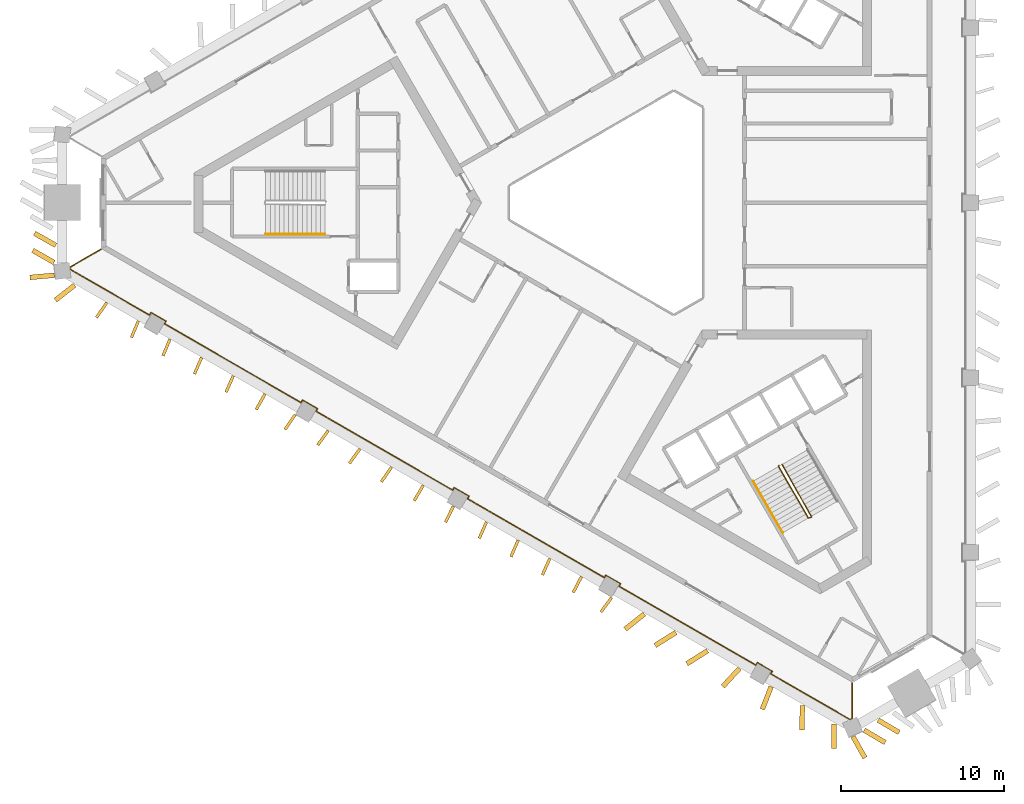
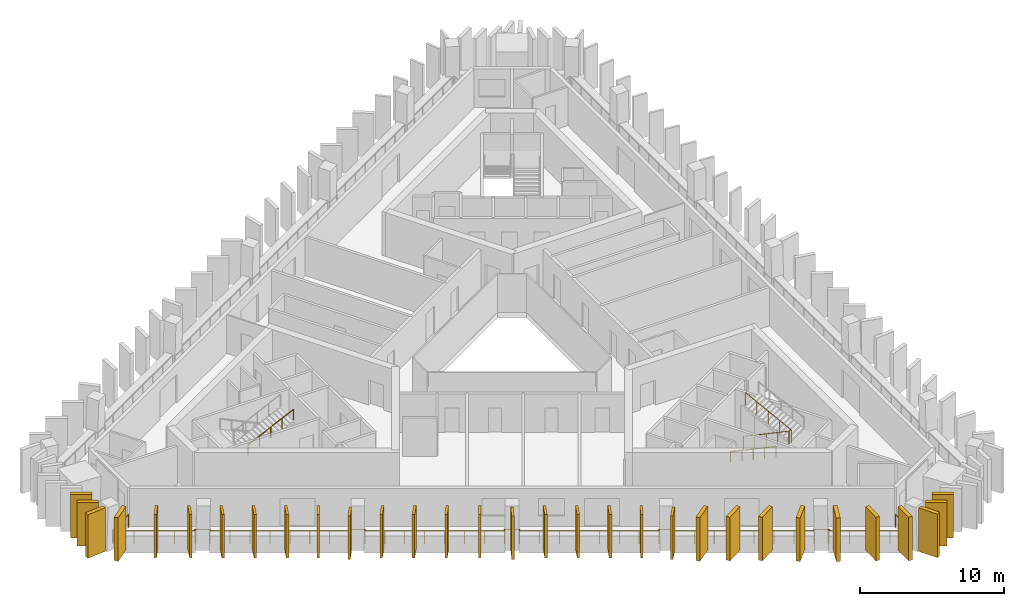
# One storey, part 7 of 9: 31 shading devices, 4 railings.
"""IFC4 building model written with IfcOpenShell, lengths in metres."""

from ifc_helpers import new_model, si_unit, direction, frame, frame_2d, origin, origin_2d, place, context, subcontext, project, spatial, rectangle, circle, extrude, material, layer, layer_set, type_object, element, save


model = new_model("IFC4")

# Units and contexts
model_context = context("Model", 3, precision=1e-05, world=origin(), true_north=direction((0.0, 1.0)))
body_context = subcontext(model_context, "Body", "Model", "MODEL_VIEW")
ifc_project = project(units=[si_unit("LENGTHUNIT", "METRE"), si_unit("AREAUNIT", "SQUARE_METRE"), si_unit("VOLUMEUNIT", "CUBIC_METRE"), si_unit("PLANEANGLEUNIT", "RADIAN"), si_unit("MASSUNIT", "GRAM", prefix="KILO")], contexts=[model_context])

# Site, building, storey
site_placement = place(None, origin())
site = spatial("IfcSite", under=ifc_project, at=site_placement, CompositionType="ELEMENT")
building_placement = place(site_placement, origin())
building = spatial("IfcBuilding", under=site, at=building_placement, Name="Jabali Bay Hotel Tower and Convention Centre", CompositionType="ELEMENT")
storey_placement = place(building_placement, frame((0.0, 0.0, 182.199951171875)))
storey = spatial("IfcBuildingStorey", under=building, at=storey_placement, Name="L44", CompositionType="ELEMENT", Elevation=182.199951171875)

# Railing
ifc_material_1 = material(Name="Glass", Category="glass")
railing_type_1 = type_object("IfcRailingType", Name="Loggia glass guard 1100", PredefinedType="BALUSTRADE", material=ifc_material_1)
railing_1_placement = place(storey_placement, frame((88.68212890625, 50.591796875, 0.0)))
element("IfcRailing", 1, at=railing_1_placement, inside=storey, type_object=railing_type_1, Name="Loggia glass guard L44", PredefinedType="BALUSTRADE", context=body_context, shape_type="SweptSolid", body=[
    extrude(circle(Radius=0.02490234375, at=origin_2d()), frame((0.0, 0.0, 1.0751953125), z_axis=(0.0, -1.0, 0.0), x_axis=(0.991444861374, 0.0, 0.13052619222)), (0.0, 0.0, 1.0), 2.19287109375),
    extrude(circle(Radius=0.02490234375, at=origin_2d()), frame((0.0, -2.19287109375, 1.0751953125), z_axis=(-0.9195450827, -0.39298453008, 0.0), x_axis=(0.389622492947, -0.911678247044, 0.13052619222)), (0.0, 0.0, 1.0), 0.126220703125),
    extrude(circle(Radius=0.02490234375, at=origin_2d()), frame((-0.115966796875, -2.242431640625, 1.0751953125), z_axis=(-0.866029922297, 0.499992173624, 0.0), x_axis=(-0.495714671267, -0.858620916258, 0.13052619222)), (0.0, 0.0, 1.0), 5.615234375),
    extrude(circle(Radius=0.02490234375, at=origin_2d()), frame((-4.97900390625, 0.565185546875, 1.0751953125), z_axis=(0.501091290591, 0.865394429433, 0.0), x_axis=(-0.857990860123, 0.496804385136, 0.13052619222)), (0.0, 0.0, 1.0), 0.1748046875),
    extrude(circle(Radius=0.02490234375, at=origin_2d()), frame((-4.891357421875, 0.716552734375, 1.0751953125), z_axis=(-0.865988129768, 0.500064554934, 0.0), x_axis=(-0.495786433345, -0.858579481269, 0.13052619222)), (0.0, 0.0, 1.0), 1.050048828125),
    extrude(circle(Radius=0.02490234375, at=origin_2d()), frame((-5.80078125, 1.24169921875, 1.0751953125), z_axis=(-0.499440622861, -0.866348119543, 0.0), x_axis=(0.858936391282, -0.495167839097, 0.13052619222)), (0.0, 0.0, 1.0), 0.175048828125),
    extrude(circle(Radius=0.02490234375, at=origin_2d()), frame((-5.88818359375, 1.090087890625, 1.0751953125), z_axis=(-0.866024507931, 0.500001551661, 0.0), x_axis=(-0.495723969073, -0.858615548212, 0.13052619222)), (0.0, 0.0, 1.0), 9.6669921875),
    extrude(circle(Radius=0.02490234375, at=origin_2d()), frame((-14.260009765625, 5.923583984375, 1.0751953125), z_axis=(0.499440622861, 0.866348119543, 0.0), x_axis=(-0.858936391282, 0.495167839097, 0.13052619222)), (0.0, 0.0, 1.0), 0.175048828125),
    extrude(circle(Radius=0.02490234375, at=origin_2d()), frame((-14.172607421875, 6.0751953125, 1.0751953125), z_axis=(-0.866030680601, 0.499990860175, 0.0), x_axis=(-0.495713369054, -0.858621668074, 0.13052619222)), (0.0, 0.0, 1.0), 1.0498046875),
    extrude(circle(Radius=0.02490234375, at=origin_2d()), frame((-15.081787109375, 6.60009765625, 1.0751953125), z_axis=(-0.500486622847, -0.865744269604, 0.0), x_axis=(0.858337707362, -0.496204890408, 0.13052619222)), (0.0, 0.0, 1.0), 0.175048828125),
    extrude(circle(Radius=0.02490234375, at=origin_2d()), frame((-15.16943359375, 6.448486328125, 1.0751953125), z_axis=(-0.866018193896, 0.500012487686, 0.0), x_axis=(-0.495734811539, -0.858609288194, 0.13052619222)), (0.0, 0.0, 1.0), 9.666748046875),
    extrude(circle(Radius=0.02490234375, at=origin_2d()), frame((-23.541015625, 11.281982421875, 1.0751953125), z_axis=(0.499440622861, 0.866348119543, 0.0), x_axis=(-0.858936391282, 0.495167839097, 0.13052619222)), (0.0, 0.0, 1.0), 0.175048828125),
    extrude(circle(Radius=0.02490234375, at=origin_2d()), frame((-23.45361328125, 11.43359375, 1.0751953125), z_axis=(-0.866030680601, 0.499990860175, 0.0), x_axis=(-0.495713369054, -0.858621668074, 0.13052619222)), (0.0, 0.0, 1.0), 1.0498046875),
    extrude(circle(Radius=0.02490234375, at=origin_2d()), frame((-24.36279296875, 11.95849609375, 1.0751953125), z_axis=(-0.500486622847, -0.865744269604, 0.0), x_axis=(0.858337707362, -0.496204890408, 0.13052619222)), (0.0, 0.0, 1.0), 0.175048828125),
    extrude(circle(Radius=0.02490234375, at=origin_2d()), frame((-24.450439453125, 11.806884765625, 1.0751953125), z_axis=(-0.866024507931, 0.500001551661, 0.0), x_axis=(-0.495723969073, -0.858615548212, 0.13052619222)), (0.0, 0.0, 1.0), 9.6669921875),
    extrude(circle(Radius=0.02490234375, at=origin_2d()), frame((-32.822265625, 16.640380859375, 1.0751953125), z_axis=(0.500486622847, 0.865744269604, 0.0), x_axis=(-0.858337707362, 0.496204890408, 0.13052619222)), (0.0, 0.0, 1.0), 0.175048828125),
    extrude(circle(Radius=0.02490234375, at=origin_2d()), frame((-32.734619140625, 16.7919921875, 1.0751953125), z_axis=(-0.866088799389, 0.499890179513, 0.0), x_axis=(-0.495613549729, -0.858679289647, 0.13052619222)), (0.0, 0.0, 1.0), 1.050048828125),
    extrude(circle(Radius=0.02490234375, at=origin_2d()), frame((-33.64404296875, 17.31689453125, 1.0751953125), z_axis=(-0.500044870432, -0.865999496279, 0.0), x_axis=(0.858590750538, -0.495766917246, 0.13052619222)), (0.0, 0.0, 1.0), 0.1748046875),
    extrude(circle(Radius=0.02490234375, at=origin_2d()), frame((-33.7314453125, 17.16552734375, 1.0751953125), z_axis=(-0.866035443687, 0.499982609976, 0.0), x_axis=(-0.495705189436, -0.858626390411, 0.13052619222)), (0.0, 0.0, 1.0), 9.666748046875),
    extrude(circle(Radius=0.02490234375, at=origin_2d()), frame((-42.103271484375, 21.998779296875, 1.0751953125), z_axis=(0.499440622861, 0.866348119543, 0.0), x_axis=(-0.858936391282, 0.495167839097, 0.13052619222)), (0.0, 0.0, 1.0), 0.175048828125),
    extrude(circle(Radius=0.02490234375, at=origin_2d()), frame((-42.015869140625, 22.150390625, 1.0751953125), z_axis=(-0.86592997719, 0.500165247297, 0.0), x_axis=(-0.495886264271, -0.858521826194, 0.13052619222)), (0.0, 0.0, 1.0), 1.050048828125),
    extrude(circle(Radius=0.02490234375, at=origin_2d()), frame((-42.925048828125, 22.675537109375, 1.0751953125), z_axis=(-0.500486622847, -0.865744269604, 0.0), x_axis=(0.858337707362, -0.496204890408, 0.13052619222)), (0.0, 0.0, 1.0), 0.175048828125),
    extrude(circle(Radius=0.02490234375, at=origin_2d()), frame((-43.0126953125, 22.52392578125, 1.0751953125), z_axis=(-0.866019052629, 0.500011000363, 0.0), x_axis=(-0.49573333694, -0.858610139581, 0.13052619222)), (0.0, 0.0, 1.0), 5.614990234375),
    extrude(circle(Radius=0.02490234375, at=origin_2d()), frame((-47.87548828125, 25.33154296875, 1.0751953125), z_axis=(-0.119984594018, 0.992775753732, 0.0), x_axis=(-0.984282419534, -0.118958109183, 0.13052619222)), (0.0, 0.0, 1.0), 0.126220703125),
    extrude(circle(Radius=0.02490234375, at=origin_2d()), frame((-47.890625, 25.456787109375, 1.0751953125), z_axis=(0.866035418383, 0.499982653806, 0.0), x_axis=(-0.495705232892, 0.858626365323, 0.13052619222)), (0.0, 0.0, 1.0), 2.19287109375),
    extrude(circle(Radius=0.02001953125, at=origin_2d()), origin(), (0.0, 0.0, 1.0), 1.050048828125),
    extrude(circle(Radius=0.02001953125, at=origin_2d()), frame((0.0, -1.096435546875, 0.0)), (0.0, 0.0, 1.0), 1.050048828125),
    extrude(circle(Radius=0.02001953125, at=origin_2d()), frame((0.0, -2.19287109375, 0.0)), (0.0, 0.0, 1.0), 1.050048828125),
    extrude(circle(Radius=0.02001953125, at=origin_2d()), frame((-0.115966796875, -2.242431640625, 0.0)), (0.0, 0.0, 1.0), 1.050048828125),
    extrude(circle(Radius=0.02001953125, at=origin_2d()), frame((-1.331787109375, -1.54052734375, 0.0)), (0.0, 0.0, 1.0), 1.050048828125),
    extrude(circle(Radius=0.02001953125, at=origin_2d()), frame((-2.54736328125, -0.838623046875, 0.0)), (0.0, 0.0, 1.0), 1.050048828125),
    extrude(circle(Radius=0.02001953125, at=origin_2d()), frame((-3.76318359375, -0.13671875, 0.0)), (0.0, 0.0, 1.0), 1.050048828125),
    extrude(circle(Radius=0.02001953125, at=origin_2d()), frame((-4.97900390625, 0.565185546875, 0.0)), (0.0, 0.0, 1.0), 1.050048828125),
    extrude(circle(Radius=0.02001953125, at=origin_2d()), frame((-4.891357421875, 0.716552734375, 0.0)), (0.0, 0.0, 1.0), 1.050048828125),
    extrude(circle(Radius=0.02001953125, at=origin_2d()), frame((-5.80078125, 1.24169921875, 0.0)), (0.0, 0.0, 1.0), 1.050048828125),
    extrude(circle(Radius=0.02001953125, at=origin_2d()), frame((-5.88818359375, 1.090087890625, 0.0)), (0.0, 0.0, 1.0), 1.050048828125),
    extrude(circle(Radius=0.02001953125, at=origin_2d()), frame((-7.084228515625, 1.780517578125, 0.0)), (0.0, 0.0, 1.0), 1.050048828125),
    extrude(circle(Radius=0.02001953125, at=origin_2d()), frame((-8.280029296875, 2.47119140625, 0.0)), (0.0, 0.0, 1.0), 1.050048828125),
    extrude(circle(Radius=0.02001953125, at=origin_2d()), frame((-9.47607421875, 3.16162109375, 0.0)), (0.0, 0.0, 1.0), 1.050048828125),
    extrude(circle(Radius=0.02001953125, at=origin_2d()), frame((-10.672119140625, 3.85205078125, 0.0)), (0.0, 0.0, 1.0), 1.050048828125),
    extrude(circle(Radius=0.02001953125, at=origin_2d()), frame((-11.8681640625, 4.54248046875, 0.0)), (0.0, 0.0, 1.0), 1.050048828125),
    extrude(circle(Radius=0.02001953125, at=origin_2d()), frame((-13.06396484375, 5.233154296875, 0.0)), (0.0, 0.0, 1.0), 1.050048828125),
    extrude(circle(Radius=0.02001953125, at=origin_2d()), frame((-14.260009765625, 5.923583984375, 0.0)), (0.0, 0.0, 1.0), 1.050048828125),
    extrude(circle(Radius=0.02001953125, at=origin_2d()), frame((-14.172607421875, 6.0751953125, 0.0)), (0.0, 0.0, 1.0), 1.050048828125),
    extrude(circle(Radius=0.02001953125, at=origin_2d()), frame((-15.081787109375, 6.60009765625, 0.0)), (0.0, 0.0, 1.0), 1.050048828125),
    extrude(circle(Radius=0.02001953125, at=origin_2d()), frame((-15.16943359375, 6.448486328125, 0.0)), (0.0, 0.0, 1.0), 1.050048828125),
    extrude(circle(Radius=0.02001953125, at=origin_2d()), frame((-16.365478515625, 7.138916015625, 0.0)), (0.0, 0.0, 1.0), 1.050048828125),
    extrude(circle(Radius=0.02001953125, at=origin_2d()), frame((-17.561279296875, 7.82958984375, 0.0)), (0.0, 0.0, 1.0), 1.050048828125),
    extrude(circle(Radius=0.02001953125, at=origin_2d()), frame((-18.75732421875, 8.52001953125, 0.0)), (0.0, 0.0, 1.0), 1.050048828125),
    extrude(circle(Radius=0.02001953125, at=origin_2d()), frame((-19.953125, 9.21044921875, 0.0)), (0.0, 0.0, 1.0), 1.050048828125),
    extrude(circle(Radius=0.02001953125, at=origin_2d()), frame((-21.149169921875, 9.90087890625, 0.0)), (0.0, 0.0, 1.0), 1.050048828125),
    extrude(circle(Radius=0.02001953125, at=origin_2d()), frame((-22.344970703125, 10.591552734375, 0.0)), (0.0, 0.0, 1.0), 1.050048828125),
    extrude(circle(Radius=0.02001953125, at=origin_2d()), frame((-23.541015625, 11.281982421875, 0.0)), (0.0, 0.0, 1.0), 1.050048828125),
    extrude(circle(Radius=0.02001953125, at=origin_2d()), frame((-23.45361328125, 11.43359375, 0.0)), (0.0, 0.0, 1.0), 1.050048828125),
    extrude(circle(Radius=0.02001953125, at=origin_2d()), frame((-24.36279296875, 11.95849609375, 0.0)), (0.0, 0.0, 1.0), 1.050048828125),
    extrude(circle(Radius=0.02001953125, at=origin_2d()), frame((-24.450439453125, 11.806884765625, 0.0)), (0.0, 0.0, 1.0), 1.050048828125),
    extrude(circle(Radius=0.02001953125, at=origin_2d()), frame((-25.646484375, 12.497314453125, 0.0)), (0.0, 0.0, 1.0), 1.050048828125),
    extrude(circle(Radius=0.02001953125, at=origin_2d()), frame((-26.84228515625, 13.18798828125, 0.0)), (0.0, 0.0, 1.0), 1.050048828125),
    extrude(circle(Radius=0.02001953125, at=origin_2d()), frame((-28.038330078125, 13.87841796875, 0.0)), (0.0, 0.0, 1.0), 1.050048828125),
    extrude(circle(Radius=0.02001953125, at=origin_2d()), frame((-29.234375, 14.56884765625, 0.0)), (0.0, 0.0, 1.0), 1.050048828125),
    extrude(circle(Radius=0.02001953125, at=origin_2d()), frame((-30.430419921875, 15.25927734375, 0.0)), (0.0, 0.0, 1.0), 1.050048828125),
    extrude(circle(Radius=0.02001953125, at=origin_2d()), frame((-31.626220703125, 15.949951171875, 0.0)), (0.0, 0.0, 1.0), 1.050048828125),
    extrude(circle(Radius=0.02001953125, at=origin_2d()), frame((-32.822265625, 16.640380859375, 0.0)), (0.0, 0.0, 1.0), 1.050048828125),
    extrude(circle(Radius=0.02001953125, at=origin_2d()), frame((-32.734619140625, 16.7919921875, 0.0)), (0.0, 0.0, 1.0), 1.050048828125),
    extrude(circle(Radius=0.02001953125, at=origin_2d()), frame((-33.64404296875, 17.31689453125, 0.0)), (0.0, 0.0, 1.0), 1.050048828125),
    extrude(circle(Radius=0.02001953125, at=origin_2d()), frame((-33.7314453125, 17.16552734375, 0.0)), (0.0, 0.0, 1.0), 1.050048828125),
    extrude(circle(Radius=0.02001953125, at=origin_2d()), frame((-34.927490234375, 17.85595703125, 0.0)), (0.0, 0.0, 1.0), 1.050048828125),
    extrude(circle(Radius=0.02001953125, at=origin_2d()), frame((-36.123291015625, 18.54638671875, 0.0)), (0.0, 0.0, 1.0), 1.050048828125),
    extrude(circle(Radius=0.02001953125, at=origin_2d()), frame((-37.3193359375, 19.23681640625, 0.0)), (0.0, 0.0, 1.0), 1.050048828125),
    extrude(circle(Radius=0.02001953125, at=origin_2d()), frame((-38.515380859375, 19.927490234375, 0.0)), (0.0, 0.0, 1.0), 1.050048828125),
    extrude(circle(Radius=0.02001953125, at=origin_2d()), frame((-39.71142578125, 20.617919921875, 0.0)), (0.0, 0.0, 1.0), 1.050048828125),
    extrude(circle(Radius=0.02001953125, at=origin_2d()), frame((-40.9072265625, 21.308349609375, 0.0)), (0.0, 0.0, 1.0), 1.050048828125),
    extrude(circle(Radius=0.02001953125, at=origin_2d()), frame((-42.103271484375, 21.998779296875, 0.0)), (0.0, 0.0, 1.0), 1.050048828125),
    extrude(circle(Radius=0.02001953125, at=origin_2d()), frame((-42.015869140625, 22.150390625, 0.0)), (0.0, 0.0, 1.0), 1.050048828125),
    extrude(circle(Radius=0.02001953125, at=origin_2d()), frame((-42.925048828125, 22.675537109375, 0.0)), (0.0, 0.0, 1.0), 1.050048828125),
    extrude(circle(Radius=0.02001953125, at=origin_2d()), frame((-43.0126953125, 22.52392578125, 0.0)), (0.0, 0.0, 1.0), 1.050048828125),
    extrude(circle(Radius=0.02001953125, at=origin_2d()), frame((-44.228515625, 23.225830078125, 0.0)), (0.0, 0.0, 1.0), 1.050048828125),
    extrude(circle(Radius=0.02001953125, at=origin_2d()), frame((-45.444091796875, 23.927734375, 0.0)), (0.0, 0.0, 1.0), 1.050048828125),
    extrude(circle(Radius=0.02001953125, at=origin_2d()), frame((-46.65966796875, 24.629638671875, 0.0)), (0.0, 0.0, 1.0), 1.050048828125),
    extrude(circle(Radius=0.02001953125, at=origin_2d()), frame((-47.87548828125, 25.33154296875, 0.0)), (0.0, 0.0, 1.0), 1.050048828125),
    extrude(circle(Radius=0.02001953125, at=origin_2d()), frame((-47.890625, 25.456787109375, 0.0)), (0.0, 0.0, 1.0), 1.050048828125),
    extrude(circle(Radius=0.02001953125, at=origin_2d()), frame((-46.94091796875, 26.0048828125, 0.0)), (0.0, 0.0, 1.0), 1.050048828125),
    extrude(circle(Radius=0.02001953125, at=origin_2d()), frame((-45.991455078125, 26.55322265625, 0.0)), (0.0, 0.0, 1.0), 1.050048828125),
])

# Shading devices
ifc_material_2 = material(Name="Precast concrete C60", Category="concrete")
ifc_layer_1 = layer(ifc_material_2, 0.179931640625)
ifc_layer_set_1 = layer_set([ifc_layer_1], Name="Precast concrete C60")
shading_device_type_1 = type_object("IfcShadingDeviceType", Name="Precast fin 3680 x 1100", PredefinedType="USERDEFINED", material=ifc_layer_set_1)
shading_device_1_placement = place(storey_placement, frame((43.04736328125, 73.879638671875, 0.010009765625), z_axis=(0.0, 0.0, 1.0), x_axis=(-0.565511102769, -0.82474068206, 0.0)))
element("IfcShadingDevice", 2, at=shading_device_1_placement, inside=storey, type_object=shading_device_type_1, Name="Fin L44 067", ObjectType="FIN", PredefinedType="USERDEFINED", context=body_context, shape_type="SweptSolid", body=[
    extrude(rectangle(XDim=1.10009765625, YDim=0.179931640625, at=frame_2d((0.550048828125, 0.0))), origin(), (0.0, 0.0, 1.0), 3.679931640625),
])
shading_device_2_placement = place(storey_placement, frame((44.98291015625, 72.757080078125, 0.010009765625), z_axis=(0.0, 0.0, 1.0), x_axis=(-0.384552358923, -0.923103181257, 0.0)))
element("IfcShadingDevice", 3, at=shading_device_2_placement, inside=storey, type_object=shading_device_type_1, Name="Fin L44 068", ObjectType="FIN", PredefinedType="USERDEFINED", context=body_context, shape_type="SweptSolid", body=[
    extrude(rectangle(XDim=1.100341796875, YDim=0.179931640625, at=frame_2d((0.55029296875, 0.0))), origin(), (0.0, 0.0, 1.0), 3.679931640625),
])
shading_device_3_placement = place(storey_placement, frame((46.9208984375, 71.638916015625, 0.010009765625), z_axis=(0.0, 0.0, 1.0), x_axis=(-0.391695084544, -0.920095082447, 0.0)))
element("IfcShadingDevice", 4, at=shading_device_3_placement, inside=storey, type_object=shading_device_type_1, Name="Fin L44 069", ObjectType="FIN", PredefinedType="USERDEFINED", context=body_context, shape_type="SweptSolid", body=[
    extrude(rectangle(XDim=1.10009765625, YDim=0.179931640625, at=frame_2d((0.550048828125, 0.0))), origin(), (0.0, 0.0, 1.0), 3.679931640625),
])
for number, where, z_axis, x_axis, name in (
    (5, (48.85888671875, 70.52099609375, 0.010009765625), (0.0, 0.0, 1.0), (-0.401994601146, -0.915642037398, 0.0), "Fin L44 070"),
    (6, (50.796875, 69.402587890625, 0.010009765625), (0.0, 0.0, 1.0), (-0.405726556835, -0.913994508232, 0.0), "Fin L44 071"),
):
    element("IfcShadingDevice", number, at=place(storey_placement, frame(where, z_axis=z_axis, x_axis=x_axis)), inside=storey, type_object=shading_device_type_1, Name=name, ObjectType="FIN", PredefinedType="USERDEFINED", context=body_context, shape_type="SweptSolid", body=[
        extrude(rectangle(XDim=1.099853515625, YDim=0.179931640625, at=frame_2d((0.5498046875, 0.0))), origin(), (0.0, 0.0, 1.0), 3.679931640625),
    ])
shading_device_4_placement = place(storey_placement, frame((52.73876953125, 68.29150390625, 0.010009765625), z_axis=(0.0, 0.0, 1.0), x_axis=(-0.492262012535, -0.870447075367, 0.0)))
element("IfcShadingDevice", 7, at=shading_device_4_placement, inside=storey, type_object=shading_device_type_1, Name="Fin L44 072", ObjectType="FIN", PredefinedType="USERDEFINED", context=body_context, shape_type="SweptSolid", body=[
    extrude(rectangle(XDim=1.10009765625, YDim=0.179931640625, at=frame_2d((0.550048828125, 0.0))), origin(), (0.0, 0.0, 1.0), 3.679931640625),
])
for number, where, z_axis, x_axis, name in (
    (8, (54.58544921875, 67.01513671875, 0.010009765625), (0.0, 0.0, 1.0), (-0.569971472115, -0.821664481997, 0.0), "Fin L44 073"),
    (9, (56.60986328125, 66.046630859375, 0.010009765625), (0.0, 0.0, 1.0), (-0.587102143786, -0.809512861394, 0.0), "Fin L44 074"),
):
    element("IfcShadingDevice", number, at=place(storey_placement, frame(where, z_axis=z_axis, x_axis=x_axis)), inside=storey, type_object=shading_device_type_1, Name=name, ObjectType="FIN", PredefinedType="USERDEFINED", context=body_context, shape_type="SweptSolid", body=[
        extrude(rectangle(XDim=1.099853515625, YDim=0.179931640625, at=frame_2d((0.5498046875, 0.0))), origin(), (0.0, 0.0, 1.0), 3.679931640625),
    ])
shading_device_5_placement = place(storey_placement, frame((58.547607421875, 64.927978515625, 0.010009765625), z_axis=(0.0, 0.0, 1.0), x_axis=(-0.586996664326, -0.809589350269, 0.0)))
element("IfcShadingDevice", 10, at=shading_device_5_placement, inside=storey, type_object=shading_device_type_1, Name="Fin L44 075", ObjectType="FIN", PredefinedType="USERDEFINED", context=body_context, shape_type="SweptSolid", body=[
    extrude(rectangle(XDim=1.10009765625, YDim=0.179931640625, at=frame_2d((0.550048828125, 0.0))), origin(), (0.0, 0.0, 1.0), 3.679931640625),
])
shading_device_6_placement = place(storey_placement, frame((60.486083984375, 63.81103515625, 0.010009765625), z_axis=(0.0, 0.0, 1.0), x_axis=(-0.569313849095, -0.822120271754, 0.0)))
element("IfcShadingDevice", 11, at=shading_device_6_placement, inside=storey, type_object=shading_device_type_1, Name="Fin L44 076", ObjectType="FIN", PredefinedType="USERDEFINED", context=body_context, shape_type="SweptSolid", body=[
    extrude(rectangle(XDim=1.099853515625, YDim=0.179931640625, at=frame_2d((0.5498046875, 0.0))), origin(), (0.0, 0.0, 1.0), 3.679931640625),
])
for number, where, z_axis, x_axis, name in (
    (12, (62.42724609375, 62.697998046875, 0.010009765625), (0.0, 0.0, 1.0), (-0.506476861468, -0.862253552499, 0.0), "Fin L44 077"),
    (13, (64.27099609375, 61.4169921875, 0.010009765625), (0.0, 0.0, 1.0), (-0.443214214383, -0.896415729541, 0.0), "Fin L44 078"),
    (14, (66.298095703125, 60.452880859375, 0.010009765625), (0.0, 0.0, 1.0), (-0.404820126816, -0.914396339081, 0.0), "Fin L44 079"),
):
    element("IfcShadingDevice", number, at=place(storey_placement, frame(where, z_axis=z_axis, x_axis=x_axis)), inside=storey, type_object=shading_device_type_1, Name=name, ObjectType="FIN", PredefinedType="USERDEFINED", context=body_context, shape_type="SweptSolid", body=[
        extrude(rectangle(XDim=1.10009765625, YDim=0.179931640625, at=frame_2d((0.550048828125, 0.0))), origin(), (0.0, 0.0, 1.0), 3.679931640625),
    ])
for number, where, z_axis, x_axis, name in (
    (15, (68.2353515625, 59.333740234375, 0.010009765625), (0.0, 0.0, 1.0), (-0.399805437458, -0.916600028463, 0.0), "Fin L44 080"),
    (16, (70.173583984375, 58.216064453125, 0.010009765625), (0.0, 0.0, 1.0), (-0.41062307398, -0.911805182654, 0.0), "Fin L44 081"),
):
    element("IfcShadingDevice", number, at=place(storey_placement, frame(where, z_axis=z_axis, x_axis=x_axis)), inside=storey, type_object=shading_device_type_1, Name=name, ObjectType="FIN", PredefinedType="USERDEFINED", context=body_context, shape_type="SweptSolid", body=[
        extrude(rectangle(XDim=1.099853515625, YDim=0.179931640625, at=frame_2d((0.5498046875, 0.0))), origin(), (0.0, 0.0, 1.0), 3.679931640625),
    ])
for number, where, z_axis, x_axis, name in (
    (17, (72.114013671875, 57.10205078125, 0.010009765625), (0.0, 0.0, 1.0), (-0.464968733494, -0.885327101626, 0.0), "Fin L44 082"),
    (18, (73.95703125, 55.819580078125, 0.010009765625), (0.0, 0.0, 1.0), (-0.595694532571, -0.803211070557, 0.0), "Fin L44 083"),
):
    element("IfcShadingDevice", number, at=place(storey_placement, frame(where, z_axis=z_axis, x_axis=x_axis)), inside=storey, type_object=shading_device_type_1, Name=name, ObjectType="FIN", PredefinedType="USERDEFINED", context=body_context, shape_type="SweptSolid", body=[
        extrude(rectangle(XDim=1.10009765625, YDim=0.179931640625, at=frame_2d((0.550048828125, 0.0))), origin(), (0.0, 0.0, 1.0), 3.679931640625),
    ])
ifc_layer_2 = layer(ifc_material_2, 0.300048828125)
ifc_layer_set_2 = layer_set([ifc_layer_2], Name="Precast concrete C60")
shading_device_type_2 = type_object("IfcShadingDeviceType", Name="Precast fin 3680 x 1500", PredefinedType="USERDEFINED", material=ifc_layer_set_2)
shading_device_7_placement = place(storey_placement, frame((39.929931640625, 77.3857421875, 0.010009765625), z_axis=(0.0, 0.0, 1.0), x_axis=(-0.869831289423, 0.493349296078, 0.0)))
element("IfcShadingDevice", 19, at=shading_device_7_placement, inside=storey, type_object=shading_device_type_2, Name="Fin L44 064", ObjectType="FIN", PredefinedType="USERDEFINED", context=body_context, shape_type="SweptSolid", body=[
    extrude(rectangle(XDim=1.5, YDim=0.300048828125, at=frame_2d((0.75, 0.0))), origin(), (0.0, 0.0, 1.0), 3.679931640625),
])
for number, where, z_axis, x_axis, name in (
    (20, (39.823974609375, 76.33984375, 0.010009765625), (0.0, 0.0, 1.0), (-0.869870897648, 0.49327945571, 0.0), "Fin L44 065"),
    (21, (41.08544921875, 74.956298828125, 0.010009765625), (0.0, 0.0, 1.0), (-0.785719365921, -0.618583121348, 0.0), "Fin L44 066"),
):
    element("IfcShadingDevice", number, at=place(storey_placement, frame(where, z_axis=z_axis, x_axis=x_axis)), inside=storey, type_object=shading_device_type_2, Name=name, ObjectType="FIN", PredefinedType="USERDEFINED", context=body_context, shape_type="SweptSolid", body=[
        extrude(rectangle(XDim=1.500244140625, YDim=0.300048828125, at=frame_2d((0.75, 0.0))), origin(), (0.0, 0.0, 1.0), 3.679931640625),
    ])
for number, where, z_axis, x_axis, name in (
    (22, (75.963623046875, 54.81982421875, 0.010009765625), (0.0, 0.0, 1.0), (-0.78349767909, -0.621394711002, 0.0), "Fin L44 084"),
    (23, (77.8935546875, 53.688232421875, 0.010009765625), (0.0, 0.0, 1.0), (-0.847320976288, -0.531081126705, 0.0), "Fin L44 085"),
    (24, (79.83154296875, 52.56982421875, 0.010009765625), (0.0, 0.0, 1.0), (-0.845999018586, -0.533184452653, 0.0), "Fin L44 086"),
    (25, (81.787353515625, 51.482666015625, 0.010009765625), (0.0, 0.0, 1.0), (-0.68016388034, -0.733060090225, 0.0), "Fin L44 087"),
):
    element("IfcShadingDevice", number, at=place(storey_placement, frame(where, z_axis=z_axis, x_axis=x_axis)), inside=storey, type_object=shading_device_type_2, Name=name, ObjectType="FIN", PredefinedType="USERDEFINED", context=body_context, shape_type="SweptSolid", body=[
        extrude(rectangle(XDim=1.5, YDim=0.300048828125, at=frame_2d((0.75, 0.0))), origin(), (0.0, 0.0, 1.0), 3.679931640625),
    ])
shading_device_8_placement = place(storey_placement, frame((83.730712890625, 50.373779296875, 0.010009765625), z_axis=(0.0, 0.0, 1.0), x_axis=(-0.368048451007, -0.929806613071, 0.0)))
element("IfcShadingDevice", 26, at=shading_device_8_placement, inside=storey, type_object=shading_device_type_2, Name="Fin L44 088", ObjectType="FIN", PredefinedType="USERDEFINED", context=body_context, shape_type="SweptSolid", body=[
    extrude(rectangle(XDim=1.499755859375, YDim=0.300048828125, at=frame_2d((0.75, 0.0))), origin(), (0.0, 0.0, 1.0), 3.679931640625),
])
for number, where, z_axis, x_axis, name in (
    (27, (85.6435546875, 49.212158203125, 0.010009765625), (0.0, 0.0, 1.0), (-0.026203958871, -0.999656617314, 0.0), "Fin L44 089"),
    (28, (87.580078125, 48.09130859375, 0.010009765625), (0.0, 0.0, 1.0), (-0.007649515767, -0.999970742026, 0.0), "Fin L44 090"),
):
    element("IfcShadingDevice", number, at=place(storey_placement, frame(where, z_axis=z_axis, x_axis=x_axis)), inside=storey, type_object=shading_device_type_2, Name=name, ObjectType="FIN", PredefinedType="USERDEFINED", context=body_context, shape_type="SweptSolid", body=[
        extrude(rectangle(XDim=1.5, YDim=0.300048828125, at=frame_2d((0.75, 0.0))), origin(), (0.0, 0.0, 1.0), 3.679931640625),
    ])
shading_device_9_placement = place(storey_placement, frame((89.418212890625, 47.70654296875, 0.010009765625), z_axis=(0.0, 0.0, 1.0), x_axis=(0.862180937869, -0.506600464248, 0.0)))
element("IfcShadingDevice", 29, at=shading_device_9_placement, inside=storey, type_object=shading_device_type_2, Name="Fin L44 091", ObjectType="FIN", PredefinedType="USERDEFINED", context=body_context, shape_type="SweptSolid", body=[
    extrude(rectangle(XDim=1.500244140625, YDim=0.300048828125, at=frame_2d((0.75, 0.0))), origin(), (0.0, 0.0, 1.0), 3.679931640625),
])
for number, where, z_axis, x_axis, name in (
    (30, (90.27099609375, 48.3212890625, 0.010009765625), (0.0, 0.0, 1.0), (0.862139163582, -0.506671552998, 0.0), "Fin L44 092"),
    (31, (39.839111328125, 75.556396484375, 0.010009765625), (0.0, 0.0, 1.0), (-0.996129850025, -0.087893810296, 0.0), "Fin L44 103"),
):
    element("IfcShadingDevice", number, at=place(storey_placement, frame(where, z_axis=z_axis, x_axis=x_axis)), inside=storey, type_object=shading_device_type_2, Name=name, ObjectType="FIN", PredefinedType="USERDEFINED", context=body_context, shape_type="SweptSolid", body=[
        extrude(rectangle(XDim=1.5, YDim=0.300048828125, at=frame_2d((0.75, 0.0))), origin(), (0.0, 0.0, 1.0), 3.679931640625),
    ])
shading_device_10_placement = place(storey_placement, frame((88.732177734375, 47.31494140625, 0.010009765625), z_axis=(0.0, 0.0, 1.0), x_axis=(0.49327945571, -0.869870897648, 0.0)))
element("IfcShadingDevice", 32, at=shading_device_10_placement, inside=storey, type_object=shading_device_type_2, Name="Fin L44 104", ObjectType="FIN", PredefinedType="USERDEFINED", context=body_context, shape_type="SweptSolid", body=[
    extrude(rectangle(XDim=1.500244140625, YDim=0.300048828125, at=frame_2d((0.75, 0.0))), origin(), (0.0, 0.0, 1.0), 3.679931640625),
])

# Railings
ifc_material_3 = material(Name="Steel Q355B", Category="steel")
railing_type_2 = type_object("IfcRailingType", Name="Stair guard 1100", PredefinedType="GUARDRAIL", material=ifc_material_3)
railing_2_placement = place(storey_placement, frame((84.199951171875, 63.9150390625, 0.0)))
element("IfcRailing", 33, at=railing_2_placement, inside=storey, type_object=railing_type_2, Name="L44 ST3 stair guard 1", PredefinedType="GUARDRAIL", context=body_context, shape_type="SweptSolid", body=[
    extrude(circle(Radius=0.02392578125, at=origin_2d()), frame((0.0, 0.0, 1.076171875), z_axis=(-0.122196845461, -0.456201556387, 0.881446578591), x_axis=(0.965948051503, -0.258736085224, 0.0)), (0.0, 0.0, 1.0), 0.14990234375),
    extrude(circle(Radius=0.02392578125, at=origin_2d()), frame((-0.018310546875, -0.068359375, 1.2080078125), z_axis=(0.45217862506, -0.783169739339, 0.426825081763), x_axis=(0.866018046521, 0.500012742938, 0.0)), (0.0, 0.0, 1.0), 4.025146484375),
    extrude(circle(Radius=0.02392578125, at=origin_2d()), frame((1.8017578125, -3.220703125, 2.92626953125), z_axis=(0.96121063429, 0.275815366736, 0.0), x_axis=(-0.275815366736, 0.96121063429, 0.0)), (0.0, 0.0, 1.0), 0.206298828125),
    extrude(circle(Radius=0.02392578125, at=origin_2d()), frame((2.0, -3.163818359375, 2.92626953125), z_axis=(-0.436481798955, 0.780166857725, 0.448133142368), x_axis=(-0.872702246529, -0.488252792008, 0.0)), (0.0, 0.0, 1.0), 4.1279296875),
    extrude(circle(Radius=0.02099609375, at=origin_2d()), origin(), (0.0, 0.0, 1.0), 1.052001953125),
    extrude(circle(Radius=0.02099609375, at=origin_2d()), frame((-0.018310546875, -0.068359375, 0.132080078125)), (0.0, 0.0, 1.0), 1.052001953125),
    extrude(circle(Radius=0.02099609375, at=origin_2d()), frame((0.436767578125, -0.8564453125, 0.5615234375)), (0.0, 0.0, 1.0), 1.052001953125),
    extrude(circle(Radius=0.02099609375, at=origin_2d()), frame((0.8916015625, -1.64453125, 0.9912109375)), (0.0, 0.0, 1.0), 1.052001953125),
    extrude(circle(Radius=0.02099609375, at=origin_2d()), frame((1.3466796875, -2.4326171875, 1.420654296875)), (0.0, 0.0, 1.0), 1.052001953125),
    extrude(circle(Radius=0.02099609375, at=origin_2d()), frame((1.8017578125, -3.220703125, 1.85009765625)), (0.0, 0.0, 1.0), 1.052001953125),
    extrude(circle(Radius=0.02099609375, at=origin_2d()), frame((2.0, -3.163818359375, 1.85009765625)), (0.0, 0.0, 1.0), 1.052001953125),
    extrude(circle(Radius=0.02099609375, at=origin_2d()), frame((1.549560546875, -2.358642578125, 2.3125)), (0.0, 0.0, 1.0), 1.052001953125),
    extrude(circle(Radius=0.02099609375, at=origin_2d()), frame((1.09912109375, -1.5537109375, 2.77490234375)), (0.0, 0.0, 1.0), 1.052001953125),
    extrude(circle(Radius=0.02099609375, at=origin_2d()), frame((0.648681640625, -0.74853515625, 3.237548828125)), (0.0, 0.0, 1.0), 1.052001953125),
    extrude(circle(Radius=0.02099609375, at=origin_2d()), frame((0.1982421875, 0.056640625, 3.699951171875)), (0.0, 0.0, 1.0), 1.052001953125),
])
railing_type_3 = type_object("IfcRailingType", Name="Stair handrail 900", PredefinedType="HANDRAIL", material=ifc_material_3)
railing_3_placement = place(storey_placement, frame((52.780029296875, 78.074951171875, 1.982177734375)))
element("IfcRailing", 34, at=railing_3_placement, inside=storey, type_object=railing_type_3, Name="L44 ST1 stair handrail 2", PredefinedType="HANDRAIL", context=body_context, shape_type="SweptSolid", body=[
    extrude(circle(Radius=0.02392578125, at=origin_2d()), frame((0.0, 0.0, 0.8759765625), z_axis=(0.904350763662, 0.0, 0.426789990819), x_axis=(0.0, 1.0, 0.0)), (0.0, 0.0, 1.0), 4.02490234375),
    extrude(circle(Radius=0.02099609375, at=origin_2d()), origin(), (0.0, 0.0, 1.0), 0.851806640625),
    extrude(circle(Radius=0.02099609375, at=origin_2d()), frame((0.909912109375, 0.0, 0.429443359375)), (0.0, 0.0, 1.0), 0.851806640625),
    extrude(circle(Radius=0.02099609375, at=origin_2d()), frame((1.81982421875, 0.0, 0.85888671875)), (0.0, 0.0, 1.0), 0.851806640625),
    extrude(circle(Radius=0.02099609375, at=origin_2d()), frame((2.72998046875, 0.0, 1.288330078125)), (0.0, 0.0, 1.0), 0.851806640625),
    extrude(circle(Radius=0.02099609375, at=origin_2d()), frame((3.639892578125, 0.0, 1.7177734375)), (0.0, 0.0, 1.0), 0.851806640625),
])
railing_4_placement = place(storey_placement, frame((82.622802734375, 62.94677734375, 0.132080078125)))
element("IfcRailing", 35, at=railing_4_placement, inside=storey, type_object=railing_type_3, Name="L44 ST3 stair handrail 1", PredefinedType="HANDRAIL", context=body_context, shape_type="SweptSolid", body=[
    extrude(circle(Radius=0.02392578125, at=origin_2d()), frame((0.0, 0.0, 0.8759765625), z_axis=(0.45217862506, -0.783169739339, 0.426825081763), x_axis=(0.866018046521, 0.500012742938, 0.0)), (0.0, 0.0, 1.0), 4.025146484375),
    extrude(circle(Radius=0.02099609375, at=origin_2d()), origin(), (0.0, 0.0, 1.0), 0.851806640625),
    extrude(circle(Radius=0.02099609375, at=origin_2d()), frame((0.455078125, -0.7880859375, 0.429443359375)), (0.0, 0.0, 1.0), 0.851806640625),
    extrude(circle(Radius=0.02099609375, at=origin_2d()), frame((0.91015625, -1.576171875, 0.85888671875)), (0.0, 0.0, 1.0), 0.851806640625),
    extrude(circle(Radius=0.02099609375, at=origin_2d()), frame((1.364990234375, -2.3642578125, 1.28857421875)), (0.0, 0.0, 1.0), 0.851806640625),
    extrude(circle(Radius=0.02099609375, at=origin_2d()), frame((1.820068359375, -3.15234375, 1.718017578125)), (0.0, 0.0, 1.0), 0.851806640625),
])

save(model, "model.ifc")
